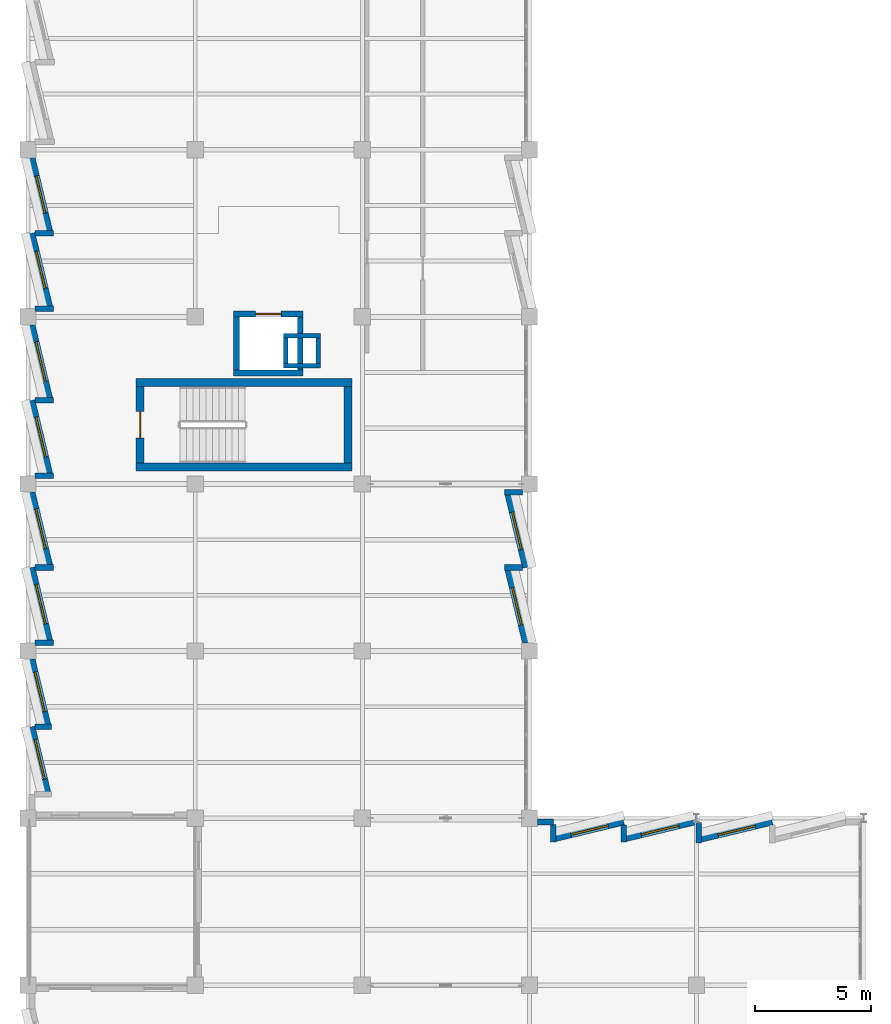
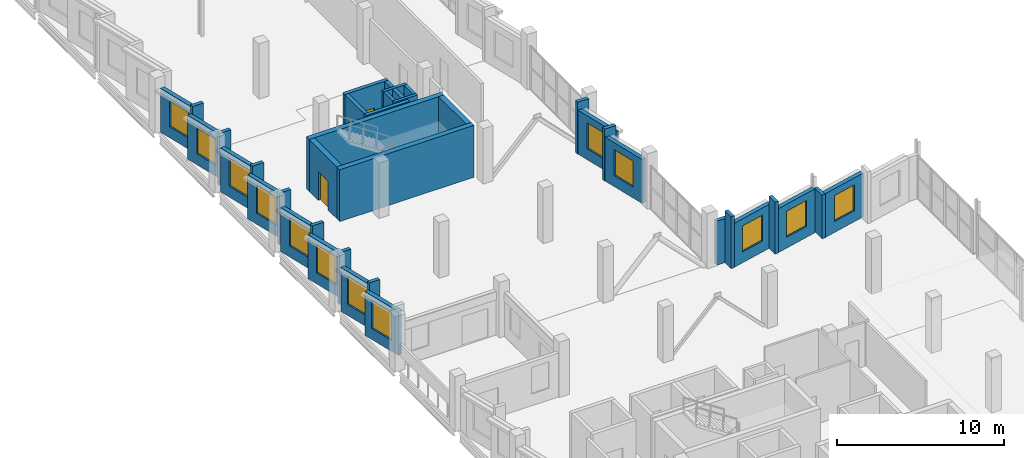
# One storey, part 25 of 33: 38 walls, 13 windows, 2 doors, 15 openings.
"""IFC4 building model written with IfcOpenShell, lengths in metres."""

from ifc_helpers import new_model, si_unit, direction, frame, frame_2d, origin, place, context, subcontext, project, spatial, rectangle, extrude, material, layer, layer_set, type_object, element, fill, save


model = new_model("IFC4")

# Units and contexts
model_context = context("Model", 3, precision=1e-05, world=origin(), true_north=direction((0.0, 1.0)))
body_context = subcontext(model_context, "Body", "Model", "MODEL_VIEW")
ifc_project = project(units=[si_unit("LENGTHUNIT", "METRE"), si_unit("AREAUNIT", "SQUARE_METRE"), si_unit("VOLUMEUNIT", "CUBIC_METRE"), si_unit("PLANEANGLEUNIT", "RADIAN"), si_unit("MASSUNIT", "GRAM", prefix="KILO")], contexts=[model_context])

# Site, building, storey
site_placement = place(None, origin())
site = spatial("IfcSite", under=ifc_project, at=site_placement, CompositionType="ELEMENT")
building_placement = place(site_placement, origin())
building = spatial("IfcBuilding", under=site, at=building_placement, Name="Kalmorath City Hall", CompositionType="ELEMENT")
storey_placement = place(building_placement, frame((0.0, 0.0, 22.949951171875)))
storey = spatial("IfcBuildingStorey", under=building, at=storey_placement, Name="L05", CompositionType="ELEMENT", Elevation=22.949951171875)

# Walls
ifc_material_1 = material(Name="Concrete C50/60", Category="concrete")
ifc_layer_1 = layer(ifc_material_1, 0.35009765625)
ifc_layer_set_1 = layer_set([ifc_layer_1], Name="Concrete C50/60")
wall_type_1 = type_object("IfcWallType", Name="Concrete core shear wall 350", PredefinedType="SHEAR", material=ifc_layer_set_1)
for number, where, z_axis, x_axis, name in (
    (1, (4.64990234375, 51.125, 0.0), (0.0, 0.0, 1.0), (1.0, 0.0, 0.0), "L05 C3 stair core shear wall S"),
    (2, (13.949951171875, 54.77490234375, 0.0), (0.0, 0.0, 1.0), (-1.0, 0.0, 0.0), "L05 C3 stair core shear wall N"),
):
    element("IfcWall", number, at=place(storey_placement, frame(where, z_axis=z_axis, x_axis=x_axis)), inside=storey, type_object=wall_type_1, Name=name, PredefinedType="SHEAR", context=body_context, shape_type="SweptSolid", body=[
        extrude(rectangle(XDim=9.300048828125, YDim=0.35009765625, at=frame_2d((4.64990234375, 0.0))), origin(), (0.0, 0.0, 1.0), 3.800048828125),
    ])

# Wall, opening, door
wall_1_placement = place(storey_placement, frame((4.824951171875, 54.60009765625, 0.0), z_axis=(0.0, 0.0, 1.0), x_axis=(0.0, -1.0, 0.0)))
wall_1 = element("IfcWall", 3, at=wall_1_placement, inside=storey, type_object=wall_type_1, Name="L05 C3 stair core shear wall W", PredefinedType="SHEAR", context=body_context, shape_type="SweptSolid", body=[
    extrude(rectangle(XDim=3.300048828125, YDim=0.35009765625, at=frame_2d((1.64990234375, 0.0))), origin(), (0.0, 0.0, 1.0), 3.800048828125),
])
opening_1_placement = place(wall_1_placement, frame((1.074951171875, 0.0, 0.0)))
opening_1 = element("IfcOpeningElement", 4, at=opening_1_placement, cuts=wall_1, Name="Opening D-L05-070", PredefinedType="OPENING", context=body_context, shape_type="SweptSolid", body=[
    extrude(rectangle(XDim=1.14990234375, YDim=2.10009765625, at=frame_2d((0.574951171875, 1.050048828125))), frame((0.0, 0.18505859375, 0.0), z_axis=(0.0, -1.0, 0.0), x_axis=(1.0, 0.0, 0.0)), (0.0, 0.0, 1.0), 0.3701171875),
])
ifc_material_2 = material(Name="Galvanised steel fire door", Category="steel")
door_type_1 = type_object("IfcDoorType", Name="Stair enclosure 90-min fire door 1150x2100", OperationType="NOTDEFINED", PredefinedType="DOOR", material=ifc_material_2)
door_1_placement = place(opening_1_placement, frame((1.14990234375, 0.0, 0.0), z_axis=(0.0, 0.0, 1.0), x_axis=(-1.0, 0.0, 0.0)))
door_1 = element("IfcDoor", 5, at=door_1_placement, inside=storey, type_object=door_type_1, Name="L05 door D-L05-070", OperationType="SINGLE_SWING_RIGHT", OverallHeight=2.10009765625, OverallWidth=1.14990234375, PredefinedType="DOOR", context=body_context, shape_type="SweptSolid", body=[
    extrude(rectangle(XDim=1.14990234375, YDim=2.10009765625, at=frame_2d((0.574951171875, 1.050048828125))), frame((0.0, 0.02490234375, 0.0), z_axis=(0.0, -1.0, 0.0), x_axis=(1.0, 0.0, 0.0)), (0.0, 0.0, 1.0), 0.050048828125),
])
fill(opening_1, door_1)

# Walls
wall_2_placement = place(storey_placement, frame((13.77490234375, 51.300048828125, 0.0), z_axis=(0.0, 0.0, 1.0), x_axis=(0.0, 1.0, 0.0)))
element("IfcWall", 6, at=wall_2_placement, inside=storey, type_object=wall_type_1, Name="L05 C3 stair core shear wall E", PredefinedType="SHEAR", context=body_context, shape_type="SweptSolid", body=[
    extrude(rectangle(XDim=3.300048828125, YDim=0.35009765625, at=frame_2d((1.64990234375, 0.0))), origin(), (0.0, 0.0, 1.0), 3.800048828125),
])
ifc_material_3 = material(Name="Concrete C50/60", Category="concrete")
ifc_layer_2 = layer(ifc_material_3, 0.25)
ifc_layer_set_2 = layer_set([ifc_layer_2], Name="Concrete C50/60")
wall_type_2 = type_object("IfcWallType", Name="Concrete lift shaft wall 250", PredefinedType="SHEAR", material=ifc_layer_set_2)
wall_3_placement = place(storey_placement, frame((8.85009765625, 55.175048828125, 0.0), z_axis=(0.0, 0.0, 1.0), x_axis=(1.0, 0.0, 0.0)))
element("IfcWall", 7, at=wall_3_placement, inside=storey, type_object=wall_type_2, Name="L05 PL4 lift shaft wall -y", PredefinedType="SHEAR", context=body_context, shape_type="SweptSolid", body=[
    extrude(rectangle(XDim=3.0, YDim=0.25, at=frame_2d((1.5, 0.0))), origin(), (0.0, 0.0, 1.0), 3.800048828125),
])

# Wall, opening, door
wall_4_placement = place(storey_placement, frame((11.85009765625, 57.72509765625, 0.0), z_axis=(0.0, 0.0, 1.0), x_axis=(-1.0, 0.0, 0.0)))
wall_4 = element("IfcWall", 8, at=wall_4_placement, inside=storey, type_object=wall_type_2, Name="L05 PL4 lift shaft wall +y", PredefinedType="SHEAR", context=body_context, shape_type="SweptSolid", body=[
    extrude(rectangle(XDim=3.0, YDim=0.25, at=frame_2d((1.5, 0.0))), origin(), (0.0, 0.0, 1.0), 3.800048828125),
])
opening_2_placement = place(wall_4_placement, frame((0.949951171875, 0.0, 0.0)))
opening_2 = element("IfcOpeningElement", 9, at=opening_2_placement, cuts=wall_4, Name="Opening LD-078", PredefinedType="OPENING", context=body_context, shape_type="SweptSolid", body=[
    extrude(rectangle(XDim=1.10009765625, YDim=2.10009765625, at=frame_2d((0.550048828125, 1.050048828125))), frame((0.0, 0.135009765625, 0.0), z_axis=(0.0, -1.0, 0.0), x_axis=(1.0, 0.0, 0.0)), (0.0, 0.0, 1.0), 0.27001953125),
])
ifc_material_4 = material(Name="Stainless steel sliding landing door", Category="steel")
door_type_2 = type_object("IfcDoorType", Name="Passenger lift sliding landing door 1100x2100", OperationType="SLIDING_TO_LEFT", PredefinedType="DOOR", material=ifc_material_4)
door_2_placement = place(opening_2_placement, origin())
door_2 = element("IfcDoor", 10, at=door_2_placement, inside=storey, type_object=door_type_2, Name="L05 door LD-078", OperationType="SLIDING_TO_LEFT", OverallHeight=2.10009765625, OverallWidth=1.10009765625, PredefinedType="DOOR", context=body_context, shape_type="SweptSolid", body=[
    extrude(rectangle(XDim=1.10009765625, YDim=2.10009765625, at=frame_2d((0.550048828125, 1.050048828125))), frame((0.0, 0.02490234375, 0.0), z_axis=(0.0, -1.0, 0.0), x_axis=(1.0, 0.0, 0.0)), (0.0, 0.0, 1.0), 0.050048828125),
])
fill(opening_2, door_2)

# Walls
for number, where, z_axis, x_axis, name in (
    (11, (8.97509765625, 57.60009765625, 0.0), (0.0, 0.0, 1.0), (0.0, -1.0, 0.0), "L05 PL4 lift shaft wall -x"),
    (12, (11.72509765625, 55.300048828125, 0.0), (0.0, 0.0, 1.0), (0.0, 1.0, 0.0), "L05 PL4 lift shaft wall +x"),
):
    element("IfcWall", number, at=place(storey_placement, frame(where, z_axis=z_axis, x_axis=x_axis)), inside=storey, type_object=wall_type_2, Name=name, PredefinedType="SHEAR", context=body_context, shape_type="SweptSolid", body=[
        extrude(rectangle(XDim=2.300048828125, YDim=0.25, at=frame_2d((1.14990234375, 0.0))), origin(), (0.0, 0.0, 1.0), 3.800048828125),
    ])
ifc_material_5 = material(Name="Concrete C40/50", Category="concrete")
ifc_layer_3 = layer(ifc_material_5, 0.199951171875)
ifc_layer_set_3 = layer_set([ifc_layer_3], Name="Concrete C40/50")
wall_type_3 = type_object("IfcWallType", Name="Concrete service riser wall 200", PredefinedType="SOLIDWALL", material=ifc_layer_set_3)
for number, where, z_axis, x_axis, name in (
    (13, (11.0, 55.5, 0.0), (0.0, 0.0, 1.0), (1.0, 0.0, 0.0), "L05 RSR-2 riser shaft wall S"),
    (14, (12.60009765625, 56.780029296875, 0.0), (0.0, 0.0, 1.0), (-1.0, 0.0, 0.0), "L05 RSR-2 riser shaft wall N"),
):
    element("IfcWall", number, at=place(storey_placement, frame(where, z_axis=z_axis, x_axis=x_axis)), inside=storey, type_object=wall_type_3, Name=name, PredefinedType="SOLIDWALL", context=body_context, shape_type="SweptSolid", body=[
        extrude(rectangle(XDim=1.60009765625, YDim=0.199951171875, at=frame_2d((0.800048828125, 0.0))), origin(), (0.0, 0.0, 1.0), 3.800048828125),
    ])
for number, where, z_axis, x_axis, name in (
    (15, (11.10009765625, 56.679931640625, 0.0), (0.0, 0.0, 1.0), (0.0, -1.0, 0.0), "L05 RSR-2 riser shaft wall W"),
    (16, (12.5, 55.60009765625, 0.0), (0.0, 0.0, 1.0), (0.0, 1.0, 0.0), "L05 RSR-2 riser shaft wall E"),
):
    element("IfcWall", number, at=place(storey_placement, frame(where, z_axis=z_axis, x_axis=x_axis)), inside=storey, type_object=wall_type_3, Name=name, PredefinedType="SOLIDWALL", context=body_context, shape_type="SweptSolid", body=[
        extrude(rectangle(XDim=1.079833984375, YDim=0.199951171875, at=frame_2d((0.5400390625, 0.0))), origin(), (0.0, 0.0, 1.0), 3.800048828125),
    ])
ifc_material_6 = material(Name="Precast concrete C40/50", Category="concrete")
ifc_layer_4 = layer(ifc_material_6, 0.239990234375)
ifc_layer_set_4 = layer_set([ifc_layer_4], Name="Precast concrete C40/50")
wall_type_4 = type_object("IfcWallType", Name="Precast sawtooth cheek wall 240", PredefinedType="SOLIDWALL", material=ifc_layer_set_4)
wall_5_placement = place(storey_placement, frame((1.00341796875, 39.93994140625, 0.0), z_axis=(0.0, 0.0, 1.0), x_axis=(-1.0, 0.0, 0.0)))
element("IfcWall", 17, at=wall_5_placement, inside=storey, type_object=wall_type_4, Name="L05 sawtooth return cheek #908", PredefinedType="SOLIDWALL", context=body_context, shape_type="SweptSolid", body=[
    extrude(rectangle(XDim=0.71142578125, YDim=0.239990234375, at=frame_2d((0.355712890625, 0.0))), origin(), (0.0, 0.0, 1.0), 3.800048828125),
])
for number, where, z_axis, x_axis, name in (
    (18, (1.0849609375, 43.551025390625, 0.0), (0.0, 0.0, 1.0), (-1.0, 0.0, 0.0), "L05 sawtooth return cheek #910"),
    (19, (1.0849609375, 46.800048828125, 0.0), (0.0, 0.0, 1.0), (-1.0, 0.0, 0.0), "L05 sawtooth return cheek #912"),
    (20, (1.0849609375, 50.7509765625, 0.0), (0.0, 0.0, 1.0), (-1.0, 0.0, 0.0), "L05 sawtooth return cheek #914"),
    (21, (1.0849609375, 54.0, 0.0), (0.0, 0.0, 1.0), (-1.0, 0.0, 0.0), "L05 sawtooth return cheek #916"),
    (22, (1.0849609375, 57.950927734375, 0.0), (0.0, 0.0, 1.0), (-1.0, 0.0, 0.0), "L05 sawtooth return cheek #918"),
    (23, (1.0849609375, 61.199951171875, 0.0), (0.0, 0.0, 1.0), (-1.0, 0.0, 0.0), "L05 sawtooth return cheek #920"),
):
    element("IfcWall", number, at=place(storey_placement, frame(where, z_axis=z_axis, x_axis=x_axis)), inside=storey, type_object=wall_type_4, Name=name, PredefinedType="SOLIDWALL", context=body_context, shape_type="SweptSolid", body=[
        extrude(rectangle(XDim=0.79296875, YDim=0.239990234375, at=frame_2d((0.396484375, 0.0))), origin(), (0.0, 0.0, 1.0), 3.800048828125),
    ])
for number, where, z_axis, x_axis, name in (
    (24, (20.514892578125, 50.049072265625, 0.0), (0.0, 0.0, 1.0), (1.0, 0.0, 0.0), "L05 sawtooth return cheek #946"),
    (25, (20.514892578125, 46.800048828125, 0.0), (0.0, 0.0, 1.0), (1.0, 0.0, 0.0), "L05 sawtooth return cheek #948"),
):
    element("IfcWall", number, at=place(storey_placement, frame(where, z_axis=z_axis, x_axis=x_axis)), inside=storey, type_object=wall_type_4, Name=name, PredefinedType="SOLIDWALL", context=body_context, shape_type="SweptSolid", body=[
        extrude(rectangle(XDim=0.793212890625, YDim=0.239990234375, at=frame_2d((0.396484375, 0.0))), origin(), (0.0, 0.0, 1.0), 3.800048828125),
    ])
wall_6_placement = place(storey_placement, frame((22.631103515625, 34.966796875, 0.0), z_axis=(0.0, 0.0, 1.0), x_axis=(0.0, 1.0, 0.0)))
element("IfcWall", 26, at=wall_6_placement, inside=storey, type_object=wall_type_4, Name="L05 sawtooth return cheek #951", PredefinedType="SOLIDWALL", context=body_context, shape_type="SweptSolid", body=[
    extrude(rectangle(XDim=0.751220703125, YDim=0.239990234375, at=frame_2d((0.37548828125, 0.0))), origin(), (0.0, 0.0, 1.0), 3.800048828125),
])
wall_7_placement = place(storey_placement, frame((25.6640625, 34.966796875, 0.0), z_axis=(0.0, 0.0, 1.0), x_axis=(0.0, 1.0, 0.0)))
element("IfcWall", 27, at=wall_7_placement, inside=storey, type_object=wall_type_4, Name="L05 sawtooth return cheek #953", PredefinedType="SOLIDWALL", context=body_context, shape_type="SweptSolid", body=[
    extrude(rectangle(XDim=0.7412109375, YDim=0.239990234375, at=frame_2d((0.37060546875, 0.0))), origin(), (0.0, 0.0, 1.0), 3.800048828125),
])
wall_8_placement = place(storey_placement, frame((28.903076171875, 34.93701171875, 0.0), z_axis=(0.0, 0.0, 1.0), x_axis=(0.0, 1.0, 0.0)))
element("IfcWall", 28, at=wall_8_placement, inside=storey, type_object=wall_type_4, Name="L05 sawtooth return cheek #956", PredefinedType="SOLIDWALL", context=body_context, shape_type="SweptSolid", body=[
    extrude(rectangle(XDim=0.885986328125, YDim=0.239990234375, at=frame_2d((0.44287109375, 0.0))), origin(), (0.0, 0.0, 1.0), 3.2060546875),
])

# Wall, opening, window
ifc_material_7 = material(Name="Precast concrete C40/50", Category="concrete")
ifc_layer_5 = layer(ifc_material_7, 0.280029296875)
ifc_layer_set_5 = layer_set([ifc_layer_5], Name="Precast concrete C40/50")
wall_type_5 = type_object("IfcWallType", Name="Precast sawtooth facade wall 280", PredefinedType="SOLIDWALL", material=ifc_layer_set_5)
wall_9_placement = place(storey_placement, frame((0.836181640625, 37.123291015625, 0.0), z_axis=(0.0, 0.0, 1.0), x_axis=(-0.233462206666, 0.972365876643, 0.0)))
wall_9 = element("IfcWall", 29, at=wall_9_placement, inside=storey, type_object=wall_type_5, Name="L05 sawtooth precast frame #905", PredefinedType="SOLIDWALL", context=body_context, shape_type="SweptSolid", body=[
    extrude(rectangle(XDim=2.896728515625, YDim=0.280029296875, at=frame_2d((1.4482421875, 0.0))), origin(), (0.0, 0.0, 1.0), 3.216064453125),
])
opening_3_placement = place(wall_9_placement, frame((0.5732421875, 0.0, 0.800048828125)))
opening_3 = element("IfcOpeningElement", 30, at=opening_3_placement, cuts=wall_9, Name="Opening WN1", PredefinedType="OPENING", context=body_context, shape_type="SweptSolid", body=[
    extrude(rectangle(XDim=1.75, YDim=2.050048828125, at=frame_2d((0.875, 1.02490234375))), frame((0.0, 0.14990234375, 0.0), z_axis=(0.0, -1.0, 0.0), x_axis=(1.0, 0.0, 0.0)), (0.0, 0.0, 1.0), 0.300048828125),
])
ifc_material_8 = material(Name="Aluminium and laminated glass", Category="aluminium")
window_type_1 = type_object("IfcWindowType", Name="Sawtooth hurricane window 1750x2050", PartitioningType="SINGLE_PANEL", PredefinedType="WINDOW", material=ifc_material_8)
window_1_placement = place(opening_3_placement, origin())
window_1 = element("IfcWindow", 31, at=window_1_placement, inside=storey, type_object=window_type_1, Name="L05 window WN1-466", OverallHeight=2.050048828125, OverallWidth=1.75, PartitioningType="SINGLE_PANEL", PredefinedType="WINDOW", context=body_context, shape_type="SweptSolid", body=[
    extrude(rectangle(XDim=1.75, YDim=2.050048828125, at=frame_2d((0.875, 1.02490234375))), frame((0.0, 0.030029296875, 0.0), z_axis=(0.0, -1.0, 0.0), x_axis=(1.0, 0.0, 0.0)), (0.0, 0.0, 1.0), 0.06005859375),
])
fill(opening_3, window_1)

wall_10_placement = place(storey_placement, frame((0.836181640625, 40.032470703125, 0.0), z_axis=(0.0, 0.0, 1.0), x_axis=(-0.233462206666, 0.972365876643, 0.0)))
wall_10 = element("IfcWall", 32, at=wall_10_placement, inside=storey, type_object=wall_type_5, Name="L05 sawtooth precast frame #907", PredefinedType="SOLIDWALL", context=body_context, shape_type="SweptSolid", body=[
    extrude(rectangle(XDim=2.896728515625, YDim=0.280029296875, at=frame_2d((1.4482421875, 0.0))), origin(), (0.0, 0.0, 1.0), 3.216064453125),
])
opening_4_placement = place(wall_10_placement, frame((0.5732421875, 0.0, 0.800048828125)))
opening_4 = element("IfcOpeningElement", 33, at=opening_4_placement, cuts=wall_10, Name="Opening WN1", PredefinedType="OPENING", context=body_context, shape_type="SweptSolid", body=[
    extrude(rectangle(XDim=1.75, YDim=2.050048828125, at=frame_2d((0.875, 1.02490234375))), frame((0.0, 0.14990234375, 0.0), z_axis=(0.0, -1.0, 0.0), x_axis=(1.0, 0.0, 0.0)), (0.0, 0.0, 1.0), 0.300048828125),
])
window_2_placement = place(opening_4_placement, origin())
window_2 = element("IfcWindow", 34, at=window_2_placement, inside=storey, type_object=window_type_1, Name="L05 window WN1-467", OverallHeight=2.050048828125, OverallWidth=1.75, PartitioningType="SINGLE_PANEL", PredefinedType="WINDOW", context=body_context, shape_type="SweptSolid", body=[
    extrude(rectangle(XDim=1.75, YDim=2.050048828125, at=frame_2d((0.875, 1.02490234375))), frame((0.0, 0.030029296875, 0.0), z_axis=(0.0, -1.0, 0.0), x_axis=(1.0, 0.0, 0.0)), (0.0, 0.0, 1.0), 0.06005859375),
])
fill(opening_4, window_2)

wall_11_placement = place(storey_placement, frame((0.917724609375, 43.643310546875, 0.0), z_axis=(0.0, 0.0, 1.0), x_axis=(-0.233429837788, 0.972373647746, 0.0)))
wall_11 = element("IfcWall", 35, at=wall_11_placement, inside=storey, type_object=wall_type_5, Name="L05 sawtooth precast frame #909", PredefinedType="SOLIDWALL", context=body_context, shape_type="SweptSolid", body=[
    extrude(rectangle(XDim=3.246337890625, YDim=0.280029296875, at=frame_2d((1.623046875, 0.0))), origin(), (0.0, 0.0, 1.0), 3.216064453125),
])
opening_5_placement = place(wall_11_placement, frame((0.748291015625, 0.0, 0.800048828125)))
opening_5 = element("IfcOpeningElement", 36, at=opening_5_placement, cuts=wall_11, Name="Opening WN1", PredefinedType="OPENING", context=body_context, shape_type="SweptSolid", body=[
    extrude(rectangle(XDim=1.75, YDim=2.050048828125, at=frame_2d((0.875, 1.02490234375))), frame((0.0, 0.14990234375, 0.0), z_axis=(0.0, -1.0, 0.0), x_axis=(1.0, 0.0, 0.0)), (0.0, 0.0, 1.0), 0.300048828125),
])
window_3_placement = place(opening_5_placement, origin())
window_3 = element("IfcWindow", 37, at=window_3_placement, inside=storey, type_object=window_type_1, Name="L05 window WN1-468", OverallHeight=2.050048828125, OverallWidth=1.75, PartitioningType="SINGLE_PANEL", PredefinedType="WINDOW", context=body_context, shape_type="SweptSolid", body=[
    extrude(rectangle(XDim=1.75, YDim=2.050048828125, at=frame_2d((0.875, 1.02490234375))), frame((0.0, 0.030029296875, 0.0), z_axis=(0.0, -1.0, 0.0), x_axis=(1.0, 0.0, 0.0)), (0.0, 0.0, 1.0), 0.06005859375),
])
fill(opening_5, window_3)

wall_12_placement = place(storey_placement, frame((0.917724609375, 46.892333984375, 0.0), z_axis=(0.0, 0.0, 1.0), x_axis=(-0.233429837788, 0.972373647746, 0.0)))
wall_12 = element("IfcWall", 38, at=wall_12_placement, inside=storey, type_object=wall_type_5, Name="L05 sawtooth precast frame #911", PredefinedType="SOLIDWALL", context=body_context, shape_type="SweptSolid", body=[
    extrude(rectangle(XDim=3.246337890625, YDim=0.280029296875, at=frame_2d((1.623046875, 0.0))), origin(), (0.0, 0.0, 1.0), 3.216064453125),
])
opening_6_placement = place(wall_12_placement, frame((0.748291015625, 0.0, 0.800048828125)))
opening_6 = element("IfcOpeningElement", 39, at=opening_6_placement, cuts=wall_12, Name="Opening WN1", PredefinedType="OPENING", context=body_context, shape_type="SweptSolid", body=[
    extrude(rectangle(XDim=1.75, YDim=2.050048828125, at=frame_2d((0.875, 1.02490234375))), frame((0.0, 0.14990234375, 0.0), z_axis=(0.0, -1.0, 0.0), x_axis=(1.0, 0.0, 0.0)), (0.0, 0.0, 1.0), 0.300048828125),
])
window_4_placement = place(opening_6_placement, origin())
window_4 = element("IfcWindow", 40, at=window_4_placement, inside=storey, type_object=window_type_1, Name="L05 window WN1-469", OverallHeight=2.050048828125, OverallWidth=1.75, PartitioningType="SINGLE_PANEL", PredefinedType="WINDOW", context=body_context, shape_type="SweptSolid", body=[
    extrude(rectangle(XDim=1.75, YDim=2.050048828125, at=frame_2d((0.875, 1.02490234375))), frame((0.0, 0.030029296875, 0.0), z_axis=(0.0, -1.0, 0.0), x_axis=(1.0, 0.0, 0.0)), (0.0, 0.0, 1.0), 0.06005859375),
])
fill(opening_6, window_4)

wall_13_placement = place(storey_placement, frame((0.917724609375, 50.843505859375, 0.0), z_axis=(0.0, 0.0, 1.0), x_axis=(-0.233446908634, 0.972369549528, 0.0)))
wall_13 = element("IfcWall", 41, at=wall_13_placement, inside=storey, type_object=wall_type_5, Name="L05 sawtooth precast frame #913", PredefinedType="SOLIDWALL", context=body_context, shape_type="SweptSolid", body=[
    extrude(rectangle(XDim=3.24609375, YDim=0.280029296875, at=frame_2d((1.623046875, 0.0))), origin(), (0.0, 0.0, 1.0), 3.216064453125),
])
opening_7_placement = place(wall_13_placement, frame((0.748291015625, 0.0, 0.800048828125)))
opening_7 = element("IfcOpeningElement", 42, at=opening_7_placement, cuts=wall_13, Name="Opening WN1", PredefinedType="OPENING", context=body_context, shape_type="SweptSolid", body=[
    extrude(rectangle(XDim=1.75, YDim=2.050048828125, at=frame_2d((0.875, 1.02490234375))), frame((0.0, 0.14990234375, 0.0), z_axis=(0.0, -1.0, 0.0), x_axis=(1.0, 0.0, 0.0)), (0.0, 0.0, 1.0), 0.300048828125),
])
window_5_placement = place(opening_7_placement, origin())
window_5 = element("IfcWindow", 43, at=window_5_placement, inside=storey, type_object=window_type_1, Name="L05 window WN1-470", OverallHeight=2.050048828125, OverallWidth=1.75, PartitioningType="SINGLE_PANEL", PredefinedType="WINDOW", context=body_context, shape_type="SweptSolid", body=[
    extrude(rectangle(XDim=1.75, YDim=2.050048828125, at=frame_2d((0.875, 1.02490234375))), frame((0.0, 0.030029296875, 0.0), z_axis=(0.0, -1.0, 0.0), x_axis=(1.0, 0.0, 0.0)), (0.0, 0.0, 1.0), 0.06005859375),
])
fill(opening_7, window_5)

wall_14_placement = place(storey_placement, frame((0.917724609375, 54.09228515625, 0.0), z_axis=(0.0, 0.0, 1.0), x_axis=(-0.233429837788, 0.972373647746, 0.0)))
wall_14 = element("IfcWall", 44, at=wall_14_placement, inside=storey, type_object=wall_type_5, Name="L05 sawtooth precast frame #915", PredefinedType="SOLIDWALL", context=body_context, shape_type="SweptSolid", body=[
    extrude(rectangle(XDim=3.246337890625, YDim=0.280029296875, at=frame_2d((1.623046875, 0.0))), origin(), (0.0, 0.0, 1.0), 3.216064453125),
])
opening_8_placement = place(wall_14_placement, frame((0.748291015625, 0.0, 0.800048828125)))
opening_8 = element("IfcOpeningElement", 45, at=opening_8_placement, cuts=wall_14, Name="Opening WN1", PredefinedType="OPENING", context=body_context, shape_type="SweptSolid", body=[
    extrude(rectangle(XDim=1.75, YDim=2.050048828125, at=frame_2d((0.875, 1.02490234375))), frame((0.0, 0.14990234375, 0.0), z_axis=(0.0, -1.0, 0.0), x_axis=(1.0, 0.0, 0.0)), (0.0, 0.0, 1.0), 0.300048828125),
])
window_6_placement = place(opening_8_placement, origin())
window_6 = element("IfcWindow", 46, at=window_6_placement, inside=storey, type_object=window_type_1, Name="L05 window WN1-471", OverallHeight=2.050048828125, OverallWidth=1.75, PartitioningType="SINGLE_PANEL", PredefinedType="WINDOW", context=body_context, shape_type="SweptSolid", body=[
    extrude(rectangle(XDim=1.75, YDim=2.050048828125, at=frame_2d((0.875, 1.02490234375))), frame((0.0, 0.030029296875, 0.0), z_axis=(0.0, -1.0, 0.0), x_axis=(1.0, 0.0, 0.0)), (0.0, 0.0, 1.0), 0.06005859375),
])
fill(opening_8, window_6)

wall_15_placement = place(storey_placement, frame((0.917724609375, 58.04345703125, 0.0), z_axis=(0.0, 0.0, 1.0), x_axis=(-0.233446908634, 0.972369549528, 0.0)))
wall_15 = element("IfcWall", 47, at=wall_15_placement, inside=storey, type_object=wall_type_5, Name="L05 sawtooth precast frame #917", PredefinedType="SOLIDWALL", context=body_context, shape_type="SweptSolid", body=[
    extrude(rectangle(XDim=3.24609375, YDim=0.280029296875, at=frame_2d((1.623046875, 0.0))), origin(), (0.0, 0.0, 1.0), 3.216064453125),
])
opening_9_placement = place(wall_15_placement, frame((0.798095703125, 0.0, 0.800048828125)))
opening_9 = element("IfcOpeningElement", 48, at=opening_9_placement, cuts=wall_15, Name="Opening WN2", PredefinedType="OPENING", context=body_context, shape_type="SweptSolid", body=[
    extrude(rectangle(XDim=1.64990234375, YDim=1.89990234375, at=frame_2d((0.824951171875, 0.949951171875))), frame((0.0, 0.14990234375, 0.0), z_axis=(0.0, -1.0, 0.0), x_axis=(1.0, 0.0, 0.0)), (0.0, 0.0, 1.0), 0.300048828125),
])
ifc_material_9 = material(Name="Aluminium and laminated glass", Category="aluminium")
window_type_2 = type_object("IfcWindowType", Name="Sawtooth hurricane window 1650x1900", PartitioningType="SINGLE_PANEL", PredefinedType="WINDOW", material=ifc_material_9)
window_7_placement = place(opening_9_placement, origin())
window_7 = element("IfcWindow", 49, at=window_7_placement, inside=storey, type_object=window_type_2, Name="L05 window WN2-472", OverallHeight=1.89990234375, OverallWidth=1.64990234375, PartitioningType="SINGLE_PANEL", PredefinedType="WINDOW", context=body_context, shape_type="SweptSolid", body=[
    extrude(rectangle(XDim=1.64990234375, YDim=1.89990234375, at=frame_2d((0.824951171875, 0.949951171875))), frame((0.0, 0.030029296875, 0.0), z_axis=(0.0, -1.0, 0.0), x_axis=(1.0, 0.0, 0.0)), (0.0, 0.0, 1.0), 0.06005859375),
])
fill(opening_9, window_7)

wall_16_placement = place(storey_placement, frame((0.917724609375, 61.29248046875, 0.0), z_axis=(0.0, 0.0, 1.0), x_axis=(-0.233446908634, 0.972369549528, 0.0)))
wall_16 = element("IfcWall", 50, at=wall_16_placement, inside=storey, type_object=wall_type_5, Name="L05 sawtooth precast frame #919", PredefinedType="SOLIDWALL", context=body_context, shape_type="SweptSolid", body=[
    extrude(rectangle(XDim=3.24609375, YDim=0.280029296875, at=frame_2d((1.623046875, 0.0))), origin(), (0.0, 0.0, 1.0), 3.216064453125),
])
opening_10_placement = place(wall_16_placement, frame((0.798095703125, 0.0, 0.800048828125)))
opening_10 = element("IfcOpeningElement", 51, at=opening_10_placement, cuts=wall_16, Name="Opening WN2", PredefinedType="OPENING", context=body_context, shape_type="SweptSolid", body=[
    extrude(rectangle(XDim=1.64990234375, YDim=1.89990234375, at=frame_2d((0.824951171875, 0.949951171875))), frame((0.0, 0.14990234375, 0.0), z_axis=(0.0, -1.0, 0.0), x_axis=(1.0, 0.0, 0.0)), (0.0, 0.0, 1.0), 0.300048828125),
])
window_8_placement = place(opening_10_placement, origin())
window_8 = element("IfcWindow", 52, at=window_8_placement, inside=storey, type_object=window_type_2, Name="L05 window WN2-473", OverallHeight=1.89990234375, OverallWidth=1.64990234375, PartitioningType="SINGLE_PANEL", PredefinedType="WINDOW", context=body_context, shape_type="SweptSolid", body=[
    extrude(rectangle(XDim=1.64990234375, YDim=1.89990234375, at=frame_2d((0.824951171875, 0.949951171875))), frame((0.0, 0.030029296875, 0.0), z_axis=(0.0, -1.0, 0.0), x_axis=(1.0, 0.0, 0.0)), (0.0, 0.0, 1.0), 0.06005859375),
])
fill(opening_10, window_8)

wall_17_placement = place(storey_placement, frame((20.68212890625, 49.95654296875, 0.0), z_axis=(0.0, 0.0, 1.0), x_axis=(0.233446908634, -0.972369549528, 0.0)))
wall_17 = element("IfcWall", 53, at=wall_17_placement, inside=storey, type_object=wall_type_5, Name="L05 sawtooth precast frame #945", PredefinedType="SOLIDWALL", context=body_context, shape_type="SweptSolid", body=[
    extrude(rectangle(XDim=3.24609375, YDim=0.280029296875, at=frame_2d((1.623046875, 0.0))), origin(), (0.0, 0.0, 1.0), 3.216064453125),
])
opening_11_placement = place(wall_17_placement, frame((0.798095703125, 0.0, 0.800048828125)))
opening_11 = element("IfcOpeningElement", 54, at=opening_11_placement, cuts=wall_17, Name="Opening WN2", PredefinedType="OPENING", context=body_context, shape_type="SweptSolid", body=[
    extrude(rectangle(XDim=1.64990234375, YDim=1.89990234375, at=frame_2d((0.824951171875, 0.949951171875))), frame((0.0, 0.14990234375, 0.0), z_axis=(0.0, -1.0, 0.0), x_axis=(1.0, 0.0, 0.0)), (0.0, 0.0, 1.0), 0.300048828125),
])
window_9_placement = place(opening_11_placement, origin())
window_9 = element("IfcWindow", 55, at=window_9_placement, inside=storey, type_object=window_type_2, Name="L05 window WN2-487", OverallHeight=1.89990234375, OverallWidth=1.64990234375, PartitioningType="SINGLE_PANEL", PredefinedType="WINDOW", context=body_context, shape_type="SweptSolid", body=[
    extrude(rectangle(XDim=1.64990234375, YDim=1.89990234375, at=frame_2d((0.824951171875, 0.949951171875))), frame((0.0, 0.030029296875, 0.0), z_axis=(0.0, -1.0, 0.0), x_axis=(1.0, 0.0, 0.0)), (0.0, 0.0, 1.0), 0.06005859375),
])
fill(opening_11, window_9)

wall_18_placement = place(storey_placement, frame((20.68212890625, 46.70751953125, 0.0), z_axis=(0.0, 0.0, 1.0), x_axis=(0.233446908634, -0.972369549528, 0.0)))
wall_18 = element("IfcWall", 56, at=wall_18_placement, inside=storey, type_object=wall_type_5, Name="L05 sawtooth precast frame #947", PredefinedType="SOLIDWALL", context=body_context, shape_type="SweptSolid", body=[
    extrude(rectangle(XDim=3.24609375, YDim=0.280029296875, at=frame_2d((1.623046875, 0.0))), origin(), (0.0, 0.0, 1.0), 3.216064453125),
])
opening_12_placement = place(wall_18_placement, frame((0.798095703125, 0.0, 0.800048828125)))
opening_12 = element("IfcOpeningElement", 57, at=opening_12_placement, cuts=wall_18, Name="Opening WN2", PredefinedType="OPENING", context=body_context, shape_type="SweptSolid", body=[
    extrude(rectangle(XDim=1.64990234375, YDim=1.89990234375, at=frame_2d((0.824951171875, 0.949951171875))), frame((0.0, 0.14990234375, 0.0), z_axis=(0.0, -1.0, 0.0), x_axis=(1.0, 0.0, 0.0)), (0.0, 0.0, 1.0), 0.300048828125),
])
window_10_placement = place(opening_12_placement, origin())
window_10 = element("IfcWindow", 58, at=window_10_placement, inside=storey, type_object=window_type_2, Name="L05 window WN2-488", OverallHeight=1.89990234375, OverallWidth=1.64990234375, PartitioningType="SINGLE_PANEL", PredefinedType="WINDOW", context=body_context, shape_type="SweptSolid", body=[
    extrude(rectangle(XDim=1.64990234375, YDim=1.89990234375, at=frame_2d((0.824951171875, 0.949951171875))), frame((0.0, 0.030029296875, 0.0), z_axis=(0.0, -1.0, 0.0), x_axis=(1.0, 0.0, 0.0)), (0.0, 0.0, 1.0), 0.06005859375),
])
fill(opening_12, window_10)

wall_19_placement = place(storey_placement, frame((22.723388671875, 35.134033203125, 0.0), z_axis=(0.0, 0.0, 1.0), x_axis=(0.972365314325, 0.233464548695, 0.0)))
wall_19 = element("IfcWall", 59, at=wall_19_placement, inside=storey, type_object=wall_type_5, Name="L05 sawtooth precast frame #950", PredefinedType="SOLIDWALL", context=body_context, shape_type="SweptSolid", body=[
    extrude(rectangle(XDim=3.024169921875, YDim=0.280029296875, at=frame_2d((1.51220703125, 0.0))), origin(), (0.0, 0.0, 1.0), 3.216064453125),
])
opening_13_placement = place(wall_19_placement, frame((0.68701171875, 0.0, 0.800048828125)))
opening_13 = element("IfcOpeningElement", 60, at=opening_13_placement, cuts=wall_19, Name="Opening WN2", PredefinedType="OPENING", context=body_context, shape_type="SweptSolid", body=[
    extrude(rectangle(XDim=1.64990234375, YDim=1.89990234375, at=frame_2d((0.824951171875, 0.949951171875))), frame((0.0, 0.14990234375, 0.0), z_axis=(0.0, -1.0, 0.0), x_axis=(1.0, 0.0, 0.0)), (0.0, 0.0, 1.0), 0.300048828125),
])
window_11_placement = place(opening_13_placement, origin())
window_11 = element("IfcWindow", 61, at=window_11_placement, inside=storey, type_object=window_type_2, Name="L05 window WN2-489", OverallHeight=1.89990234375, OverallWidth=1.64990234375, PartitioningType="SINGLE_PANEL", PredefinedType="WINDOW", context=body_context, shape_type="SweptSolid", body=[
    extrude(rectangle(XDim=1.64990234375, YDim=1.89990234375, at=frame_2d((0.824951171875, 0.949951171875))), frame((0.0, 0.030029296875, 0.0), z_axis=(0.0, -1.0, 0.0), x_axis=(1.0, 0.0, 0.0)), (0.0, 0.0, 1.0), 0.06005859375),
])
fill(opening_13, window_11)

wall_20_placement = place(storey_placement, frame((25.75634765625, 35.134033203125, 0.0), z_axis=(0.0, 0.0, 1.0), x_axis=(0.972365314325, 0.233464548695, 0.0)))
wall_20 = element("IfcWall", 62, at=wall_20_placement, inside=storey, type_object=wall_type_5, Name="L05 sawtooth precast frame #952", PredefinedType="SOLIDWALL", context=body_context, shape_type="SweptSolid", body=[
    extrude(rectangle(XDim=3.024169921875, YDim=0.280029296875, at=frame_2d((1.51220703125, 0.0))), origin(), (0.0, 0.0, 1.0), 3.216064453125),
])
opening_14_placement = place(wall_20_placement, frame((0.68701171875, 0.0, 0.800048828125)))
opening_14 = element("IfcOpeningElement", 63, at=opening_14_placement, cuts=wall_20, Name="Opening WN2", PredefinedType="OPENING", context=body_context, shape_type="SweptSolid", body=[
    extrude(rectangle(XDim=1.64990234375, YDim=1.89990234375, at=frame_2d((0.824951171875, 0.949951171875))), frame((0.0, 0.14990234375, 0.0), z_axis=(0.0, -1.0, 0.0), x_axis=(1.0, 0.0, 0.0)), (0.0, 0.0, 1.0), 0.300048828125),
])
window_12_placement = place(opening_14_placement, origin())
window_12 = element("IfcWindow", 64, at=window_12_placement, inside=storey, type_object=window_type_2, Name="L05 window WN2-490", OverallHeight=1.89990234375, OverallWidth=1.64990234375, PartitioningType="SINGLE_PANEL", PredefinedType="WINDOW", context=body_context, shape_type="SweptSolid", body=[
    extrude(rectangle(XDim=1.64990234375, YDim=1.89990234375, at=frame_2d((0.824951171875, 0.949951171875))), frame((0.0, 0.030029296875, 0.0), z_axis=(0.0, -1.0, 0.0), x_axis=(1.0, 0.0, 0.0)), (0.0, 0.0, 1.0), 0.06005859375),
])
fill(opening_14, window_12)

wall_21_placement = place(storey_placement, frame((28.995361328125, 35.104248046875, 0.0), z_axis=(0.0, 0.0, 1.0), x_axis=(0.972364797516, 0.233466701164, 0.0)))
wall_21 = element("IfcWall", 65, at=wall_21_placement, inside=storey, type_object=wall_type_5, Name="L05 sawtooth precast frame #955", PredefinedType="SOLIDWALL", context=body_context, shape_type="SweptSolid", body=[
    extrude(rectangle(XDim=3.15185546875, YDim=0.280029296875, at=frame_2d((1.575927734375, 0.0))), origin(), (0.0, 0.0, 1.0), 3.2060546875),
])
opening_15_placement = place(wall_21_placement, frame((0.7509765625, 0.0, 0.800048828125)))
opening_15 = element("IfcOpeningElement", 66, at=opening_15_placement, cuts=wall_21, Name="Opening WN2", PredefinedType="OPENING", context=body_context, shape_type="SweptSolid", body=[
    extrude(rectangle(XDim=1.64990234375, YDim=1.89990234375, at=frame_2d((0.824951171875, 0.949951171875))), frame((0.0, 0.14990234375, 0.0), z_axis=(0.0, -1.0, 0.0), x_axis=(1.0, 0.0, 0.0)), (0.0, 0.0, 1.0), 0.300048828125),
])
window_13_placement = place(opening_15_placement, origin())
window_13 = element("IfcWindow", 67, at=window_13_placement, inside=storey, type_object=window_type_2, Name="L05 window WN2-491", OverallHeight=1.89990234375, OverallWidth=1.64990234375, PartitioningType="SINGLE_PANEL", PredefinedType="WINDOW", context=body_context, shape_type="SweptSolid", body=[
    extrude(rectangle(XDim=1.64990234375, YDim=1.89990234375, at=frame_2d((0.824951171875, 0.949951171875))), frame((0.0, 0.030029296875, 0.0), z_axis=(0.0, -1.0, 0.0), x_axis=(1.0, 0.0, 0.0)), (0.0, 0.0, 1.0), 0.06005859375),
])
fill(opening_15, window_13)

# Wall
ifc_material_10 = material(Name="Precast concrete C40/50", Category="concrete")
ifc_layer_6 = layer(ifc_material_10, 0.260009765625)
ifc_layer_set_6 = layer_set([ifc_layer_6], Name="Precast concrete C40/50")
wall_type_6 = type_object("IfcWallType", Name="Precast sawtooth return wall 260", PredefinedType="SOLIDWALL", material=ifc_layer_set_6)
wall_22_placement = place(storey_placement, frame((21.950927734375, 35.840087890625, 0.0), z_axis=(0.0, 0.0, 1.0), x_axis=(1.0, 0.0, 0.0)))
element("IfcWall", 68, at=wall_22_placement, inside=storey, type_object=wall_type_6, Name="L05 corner pier wall #949", PredefinedType="SOLIDWALL", context=body_context, shape_type="SweptSolid", body=[
    extrude(rectangle(XDim=0.68017578125, YDim=0.260009765625, at=frame_2d((0.340087890625, 0.0))), origin(), (0.0, 0.0, 1.0), 3.216064453125),
])

save(model, "model.ifc")
